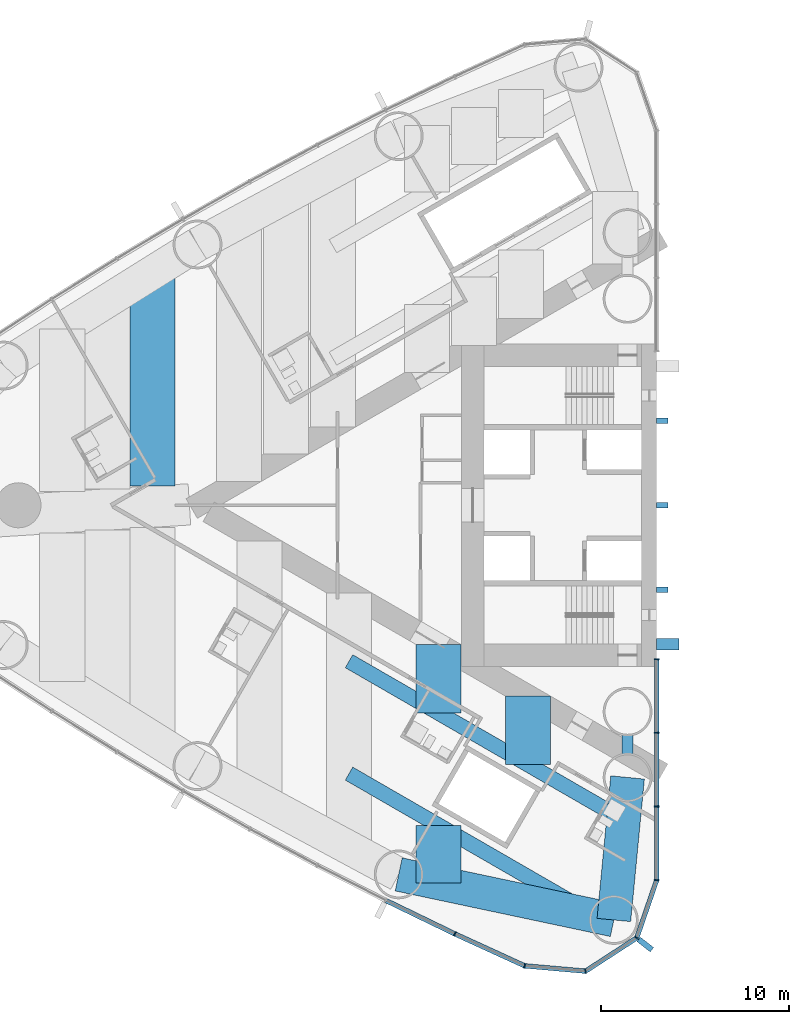
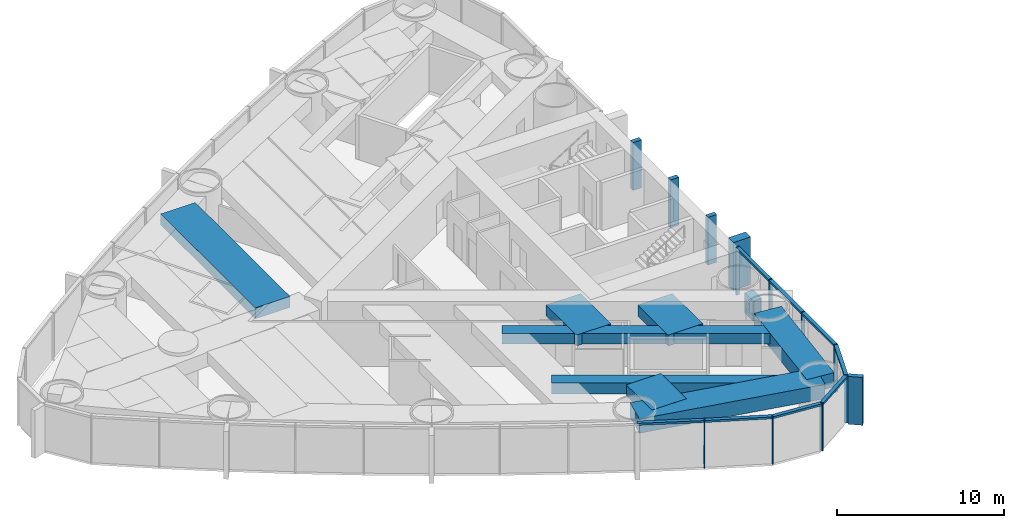
# One storey, part 3 of 18: 21 members, 9 beams, 1 element without a shape of its own.
"""IFC4 building model written with IfcOpenShell, lengths in metres."""

from ifc_helpers import new_model, si_unit, direction, frame, origin, origin_2d, place, context, subcontext, project, spatial, rectangle, hollow_rectangle, extrude, material, material_profile, profile_set, type_object, element, aggregate, save


model = new_model("IFC4")

# Units and contexts
model_context = context("Model", 3, precision=1e-05, world=origin(), true_north=direction((0.0, 1.0)))
body_context = subcontext(model_context, "Body", "Model", "MODEL_VIEW")
ifc_project = project(units=[si_unit("LENGTHUNIT", "METRE"), si_unit("AREAUNIT", "SQUARE_METRE"), si_unit("VOLUMEUNIT", "CUBIC_METRE"), si_unit("PLANEANGLEUNIT", "RADIAN"), si_unit("MASSUNIT", "GRAM", prefix="KILO")], contexts=[model_context])

# Site, building, storey
site_placement = place(None, origin())
site = spatial("IfcSite", under=ifc_project, at=site_placement, CompositionType="ELEMENT")
building_placement = place(site_placement, origin())
building = spatial("IfcBuilding", under=site, at=building_placement, Name="Lancet Gate Hotel", CompositionType="ELEMENT")
storey_placement = place(building_placement, frame((0.0, 0.0, 125.60009765625)))
storey = spatial("IfcBuildingStorey", under=building, at=storey_placement, Name="L33", CompositionType="ELEMENT", Elevation=125.60009765625)

# Curtain wall, members
ifc_material_1 = material(Name="Aluminium curtain wall", Category="aluminium")
curtain_wall_type = type_object("IfcCurtainWallType", Name="Tower unitised curtain wall", PredefinedType="USERDEFINED", material=ifc_material_1)
curtain_wall_placement = place(storey_placement, origin())
curtain_wall = element("IfcCurtainWall", 1, at=curtain_wall_placement, inside=storey, type_object=curtain_wall_type, Name="T1 L33 curtain wall 1", ObjectType="UNITISED CURTAIN WALL", PredefinedType="USERDEFINED")
ifc_material_2 = material(Name="Aluminium mullion", Category="aluminium")
ifc_material_profile_1 = material_profile(ifc_material_2, rectangle(XDim=0.06494140625, YDim=0.25, at=origin_2d()), Name="MULLION 65x250")
ifc_profile_set_1 = profile_set([ifc_material_profile_1], Name="Aluminium mullion")
member_type_1 = type_object("IfcMemberType", Name="Aluminium mullion 65x250", PredefinedType="MULLION", material=ifc_profile_set_1)
member_1_placement = place(storey_placement, frame((-38.25244140625, -22.83642578125, 0.0), z_axis=(0.0, 0.0, 1.0), x_axis=(0.904719609771, -0.426007544178, 0.0)))
member_1 = element("IfcMember", 2, at=member_1_placement, type_object=member_type_1, Name="T1 L33 curtain wall 1 mullion 29", PredefinedType="MULLION", context=body_context, shape_type="SweptSolid", body=[
    extrude(rectangle(XDim=0.06494140625, YDim=0.25, at=origin_2d()), origin(), (0.0, 0.0, 1.0), 3.5),
])
member_2_placement = place(storey_placement, frame((-34.5322265625, -24.53955078125, 0.0), z_axis=(0.0, 0.0, 1.0), x_axis=(0.961653318232, -0.27426792655, 0.0)))
member_2 = element("IfcMember", 3, at=member_2_placement, type_object=member_type_1, Name="T1 L33 curtain wall 1 mullion 30", PredefinedType="MULLION", context=body_context, shape_type="SweptSolid", body=[
    extrude(rectangle(XDim=0.06494140625, YDim=0.25, at=origin_2d()), origin(), (0.0, 0.0, 1.0), 3.5),
])
member_3_placement = place(storey_placement, frame((-31.289306640625, -24.822265625, 0.0), z_axis=(0.0, 0.0, 1.0), x_axis=(0.970242142288, 0.242136707934, 0.0)))
member_3 = element("IfcMember", 4, at=member_3_placement, type_object=member_type_1, Name="T1 L33 curtain wall 1 mullion 31", PredefinedType="MULLION", context=body_context, shape_type="SweptSolid", body=[
    extrude(rectangle(XDim=0.06494140625, YDim=0.25, at=origin_2d()), origin(), (0.0, 0.0, 1.0), 3.5),
])
member_4_placement = place(storey_placement, frame((-28.5595703125, -23.049072265625, 0.0), z_axis=(0.0, 0.0, 1.0), x_axis=(0.615574240878, 0.788078900851, 0.0)))
member_4 = element("IfcMember", 5, at=member_4_placement, type_object=member_type_1, Name="T1 L33 curtain wall 1 mullion 32", PredefinedType="MULLION", context=body_context, shape_type="SweptSolid", body=[
    extrude(rectangle(XDim=0.06494140625, YDim=0.25, at=origin_2d()), origin(), (0.0, 0.0, 1.0), 3.5),
])
member_5_placement = place(storey_placement, frame((-27.5, -19.97119140625, 0.0), z_axis=(0.0, 0.0, 1.0), x_axis=(0.149634446211, 0.988741388082, 0.0)))
member_5 = element("IfcMember", 6, at=member_5_placement, type_object=member_type_1, Name="T1 L33 curtain wall 1 mullion 33", PredefinedType="MULLION", context=body_context, shape_type="SweptSolid", body=[
    extrude(rectangle(XDim=0.06494140625, YDim=0.25, at=origin_2d()), origin(), (0.0, 0.0, 1.0), 3.5),
])
member_6_placement = place(storey_placement, frame((-27.5, -16.04736328125, 0.0), z_axis=(0.0, 0.0, 1.0), x_axis=(0.0, 1.0, 0.0)))
member_6 = element("IfcMember", 7, at=member_6_placement, type_object=member_type_1, Name="T1 L33 curtain wall 1 mullion 34", PredefinedType="MULLION", context=body_context, shape_type="SweptSolid", body=[
    extrude(rectangle(XDim=0.06494140625, YDim=0.25, at=origin_2d()), origin(), (0.0, 0.0, 1.0), 3.5),
])
member_7_placement = place(storey_placement, frame((-27.5, -12.123779296875, 0.0), z_axis=(0.0, 0.0, 1.0), x_axis=(0.0, 1.0, 0.0)))
member_7 = element("IfcMember", 8, at=member_7_placement, type_object=member_type_1, Name="T1 L33 curtain wall 1 mullion 35", PredefinedType="MULLION", context=body_context, shape_type="SweptSolid", body=[
    extrude(rectangle(XDim=0.06494140625, YDim=0.25, at=origin_2d()), origin(), (0.0, 0.0, 1.0), 3.5),
])
member_8_placement = place(storey_placement, frame((-27.5, -8.199951171875, 0.0), z_axis=(0.0, 0.0, 1.0), x_axis=(0.0, 1.0, 0.0)))
member_8 = element("IfcMember", 9, at=member_8_placement, type_object=member_type_1, Name="T1 L33 curtain wall 1 mullion 36", PredefinedType="MULLION", context=body_context, shape_type="SweptSolid", body=[
    extrude(rectangle(XDim=0.06494140625, YDim=0.25, at=origin_2d()), origin(), (0.0, 0.0, 1.0), 3.5),
])
ifc_material_3 = material(Name="Aluminium transom", Category="aluminium")
ifc_material_profile_2 = material_profile(ifc_material_3, rectangle(XDim=0.25, YDim=0.14990234375, at=origin_2d()), Name="TRANSOM 250x150")
ifc_profile_set_2 = profile_set([ifc_material_profile_2], Name="Aluminium transom")
member_type_2 = type_object("IfcMemberType", Name="Aluminium transom 250x150", PredefinedType="USERDEFINED", material=ifc_profile_set_2)
member_9_placement = place(storey_placement, frame((-41.906005859375, -21.067626953125, 3.4248046875), z_axis=(0.900065677074, -0.435754262117, 0.0), x_axis=(0.435754262117, 0.900065677074, 0.0)))
member_9 = element("IfcMember", 10, at=member_9_placement, type_object=member_type_2, Name="T1 L33 curtain wall 1 transom 28", ObjectType="TRANSOM", PredefinedType="USERDEFINED", context=body_context, shape_type="SweptSolid", body=[
    extrude(rectangle(XDim=0.25, YDim=0.14990234375, at=origin_2d()), origin(), (0.0, 0.0, 1.0), 4.026611328125),
])
member_10_placement = place(storey_placement, frame((-38.222900390625, -22.849853515625, 3.4248046875), z_axis=(0.909252284196, -0.416245460857, 0.0), x_axis=(0.416245460857, 0.909252284196, 0.0)))
member_10 = element("IfcMember", 11, at=member_10_placement, type_object=member_type_2, Name="T1 L33 curtain wall 1 transom 29", ObjectType="TRANSOM", PredefinedType="USERDEFINED", context=body_context, shape_type="SweptSolid", body=[
    extrude(rectangle(XDim=0.25, YDim=0.14990234375, at=origin_2d()), origin(), (0.0, 0.0, 1.0), 4.026611328125),
])
member_11_placement = place(storey_placement, frame((-34.499755859375, -24.542236328125, 3.4248046875), z_axis=(0.996213545522, -0.086940046686, 0.0), x_axis=(0.086940046686, 0.996213545522, 0.0)))
member_11 = element("IfcMember", 12, at=member_11_placement, type_object=member_type_2, Name="T1 L33 curtain wall 1 transom 30", ObjectType="TRANSOM", PredefinedType="USERDEFINED", context=body_context, shape_type="SweptSolid", body=[
    extrude(rectangle(XDim=0.25, YDim=0.14990234375, at=origin_2d()), origin(), (0.0, 0.0, 1.0), 3.18994140625),
])
member_12_placement = place(storey_placement, frame((-31.261962890625, -24.8046875, 3.4248046875), z_axis=(0.838550259452, 0.544824249068, 0.0), x_axis=(-0.544824249068, 0.838550259452, 0.0)))
member_12 = element("IfcMember", 13, at=member_12_placement, type_object=member_type_2, Name="T1 L33 curtain wall 1 transom 31", ObjectType="TRANSOM", PredefinedType="USERDEFINED", context=body_context, shape_type="SweptSolid", body=[
    extrude(rectangle(XDim=0.25, YDim=0.14990234375, at=origin_2d()), origin(), (0.0, 0.0, 1.0), 3.190185546875),
])
member_13_placement = place(storey_placement, frame((-28.549072265625, -23.018310546875, 3.4248046875), z_axis=(0.32553312754, 0.945530635609, 0.0), x_axis=(-0.945530635609, 0.32553312754, 0.0)))
member_13 = element("IfcMember", 14, at=member_13_placement, type_object=member_type_2, Name="T1 L33 curtain wall 1 transom 32", ObjectType="TRANSOM", PredefinedType="USERDEFINED", context=body_context, shape_type="SweptSolid", body=[
    extrude(rectangle(XDim=0.25, YDim=0.14990234375, at=origin_2d()), origin(), (0.0, 0.0, 1.0), 3.1904296875),
])
member_14_placement = place(storey_placement, frame((-27.5, -19.9384765625, 3.4248046875), z_axis=(0.0, 1.0, 0.0), x_axis=(-1.0, 0.0, 0.0)))
member_14 = element("IfcMember", 15, at=member_14_placement, type_object=member_type_2, Name="T1 L33 curtain wall 1 transom 33", ObjectType="TRANSOM", PredefinedType="USERDEFINED", context=body_context, shape_type="SweptSolid", body=[
    extrude(rectangle(XDim=0.25, YDim=0.14990234375, at=origin_2d()), origin(), (0.0, 0.0, 1.0), 3.858642578125),
])
member_15_placement = place(storey_placement, frame((-27.5, -16.014892578125, 3.4248046875), z_axis=(0.0, 1.0, 0.0), x_axis=(-1.0, 0.0, 0.0)))
member_15 = element("IfcMember", 16, at=member_15_placement, type_object=member_type_2, Name="T1 L33 curtain wall 1 transom 34", ObjectType="TRANSOM", PredefinedType="USERDEFINED", context=body_context, shape_type="SweptSolid", body=[
    extrude(rectangle(XDim=0.25, YDim=0.14990234375, at=origin_2d()), origin(), (0.0, 0.0, 1.0), 3.858642578125),
])
member_16_placement = place(storey_placement, frame((-27.5, -12.09130859375, 3.4248046875), z_axis=(0.0, 1.0, 0.0), x_axis=(-1.0, 0.0, 0.0)))
member_16 = element("IfcMember", 17, at=member_16_placement, type_object=member_type_2, Name="T1 L33 curtain wall 1 transom 35", ObjectType="TRANSOM", PredefinedType="USERDEFINED", context=body_context, shape_type="SweptSolid", body=[
    extrude(rectangle(XDim=0.25, YDim=0.14990234375, at=origin_2d()), origin(), (0.0, 0.0, 1.0), 3.85888671875),
])

# Beams
ifc_material_4 = material(Name="Concrete C50/60", Category="concrete")
ifc_material_profile_3 = material_profile(ifc_material_4, rectangle(XDim=1.800048828125, YDim=1.050048828125, at=origin_2d()), Name="RC 1800x1050")
ifc_profile_set_3 = profile_set([ifc_material_profile_3], Name="Concrete C50/60")
beam_type_1 = type_object("IfcBeamType", Name="Edge beam RC 1800x1050", PredefinedType="SPANDREL", material=ifc_profile_set_3)
beam_1_placement = place(storey_placement, frame((-41.244873046875, -19.665771484375, 2.724853515625), z_axis=(0.978282156247, -0.207277646573, 0.0), x_axis=(0.207277646573, 0.978282156247, 0.0)))
element("IfcBeam", 18, at=beam_1_placement, inside=storey, type_object=beam_type_1, Name="T1 edge beam EB1 L33", PredefinedType="SPANDREL", context=body_context, shape_type="SweptSolid", body=[
    extrude(rectangle(XDim=1.800048828125, YDim=1.050048828125, at=origin_2d()), origin(), (0.0, 0.0, 1.0), 11.71826171875),
])
beam_2_placement = place(storey_placement, frame((-29.050048828125, -14.5, 2.724853515625), z_axis=(-0.095802643786, -0.995400348324, 0.0), x_axis=(0.995400348324, -0.095802643786, 0.0)))
element("IfcBeam", 19, at=beam_2_placement, inside=storey, type_object=beam_type_1, Name="T1 edge beam EB1 L33", PredefinedType="SPANDREL", context=body_context, shape_type="SweptSolid", body=[
    extrude(rectangle(XDim=1.800048828125, YDim=1.050048828125, at=origin_2d()), origin(), (0.0, 0.0, 1.0), 7.6298828125),
])

# Member
ifc_material_5 = material(Name="Concrete C60/75", Category="concrete")
ifc_material_profile_4 = material_profile(ifc_material_5, rectangle(XDim=0.60009765625, YDim=1.199951171875, at=origin_2d()), Name="FIN 600x1200")
ifc_profile_set_4 = profile_set([ifc_material_profile_4], Name="Concrete C60/75")
member_type_3 = type_object("IfcMemberType", Name="Exposed concrete buttress pilaster 600x1200", PredefinedType="USERDEFINED", material=ifc_profile_set_4)
member_17_placement = place(storey_placement, frame((-26.909912109375, -7.39990234375, 0.0), z_axis=(0.0, 0.0, 1.0), x_axis=(0.0, 1.0, 0.0)))
element("IfcMember", 20, at=member_17_placement, inside=storey, type_object=member_type_3, Name="T1 buttress pilaster N L33", ObjectType="FIN", PredefinedType="USERDEFINED", context=body_context, shape_type="SweptSolid", body=[
    extrude(rectangle(XDim=0.60009765625, YDim=1.199951171875, at=origin_2d()), origin(), (0.0, 0.0, 1.0), 3.5),
])

ifc_material_6 = material(Name="Precast concrete C50/60", Category="concrete")
ifc_material_profile_5 = material_profile(ifc_material_6, rectangle(XDim=0.300048828125, YDim=0.89990234375, at=origin_2d()), Name="FIN 300x900")
ifc_profile_set_5 = profile_set([ifc_material_profile_5], Name="Precast concrete C50/60")
member_type_4 = type_object("IfcMemberType", Name="Exposed concrete fin 300x900", PredefinedType="USERDEFINED", material=ifc_profile_set_5)
member_18_placement = place(storey_placement, frame((-28.1064453125, -23.40283203125, 0.0), z_axis=(0.0, 0.0, 1.0), x_axis=(0.615574240878, 0.788078900851, 0.0)))
member_18 = element("IfcMember", 21, at=member_18_placement, type_object=member_type_4, Name="T1 L33 curtain wall 1 fin 32", ObjectType="FIN", PredefinedType="USERDEFINED", context=body_context, shape_type="SweptSolid", body=[
    extrude(rectangle(XDim=0.300048828125, YDim=0.89990234375, at=origin_2d()), origin(), (0.0, 0.0, 1.0), 3.5),
])

aggregate(curtain_wall, [member_1, member_2, member_3, member_4, member_18, member_5, member_6, member_7, member_8, member_9, member_10, member_11, member_12, member_13, member_14, member_15, member_16])

# Members
ifc_material_7 = material(Name="Concrete C60/75", Category="concrete")
ifc_material_profile_6 = material_profile(ifc_material_7, rectangle(XDim=0.300048828125, YDim=0.60009765625, at=origin_2d()), Name="FIN 300x600")
ifc_profile_set_6 = profile_set([ifc_material_profile_6], Name="Concrete C60/75")
member_type_5 = type_object("IfcMemberType", Name="Exposed concrete rib 300x600", PredefinedType="USERDEFINED", material=ifc_profile_set_6)
for number, where, z_axis, x_axis, name in (
    (22, (-27.2099609375, 4.5, 0.0), (0.0, 0.0, 1.0), (0.0, 1.0, 0.0), "T1 core rib 1 L33"),
    (23, (-27.2099609375, 0.0, 0.0), (0.0, 0.0, 1.0), (0.0, 1.0, 0.0), "T1 core rib 2 L33"),
    (24, (-27.2099609375, -4.5, 0.0), (0.0, 0.0, 1.0), (0.0, 1.0, 0.0), "T1 core rib 3 L33"),
):
    element("IfcMember", number, at=place(storey_placement, frame(where, z_axis=z_axis, x_axis=x_axis)), inside=storey, type_object=member_type_5, Name=name, ObjectType="FIN", PredefinedType="USERDEFINED", context=body_context, shape_type="SweptSolid", body=[
        extrude(rectangle(XDim=0.300048828125, YDim=0.60009765625, at=origin_2d()), origin(), (0.0, 0.0, 1.0), 3.5),
    ])

# Beams
ifc_material_8 = material(Name="Concrete C50/60", Category="concrete")
ifc_material_profile_7 = material_profile(ifc_material_8, rectangle(XDim=2.39990234375, YDim=0.800048828125, at=origin_2d()), Name="RC 2400x800")
ifc_profile_set_7 = profile_set([ifc_material_profile_7], Name="Concrete C50/60")
beam_type_2 = type_object("IfcBeamType", Name="Floor beam RC 2400x800", PredefinedType="BEAM", material=ifc_profile_set_7)
beam_3_placement = place(storey_placement, frame((-54.3681640625, 12.392333984375, 2.849853515625), z_axis=(0.0, -1.0, 0.0), x_axis=(1.0, 0.0, 0.0)))
element("IfcBeam", 25, at=beam_3_placement, inside=storey, type_object=beam_type_2, Name="T1 floor beam F13S L33", PredefinedType="BEAM", context=body_context, shape_type="SweptSolid", body=[
    extrude(rectangle(XDim=2.39990234375, YDim=0.800048828125, at=origin_2d()), origin(), (0.0, 0.0, 1.0), 11.364990234375),
])
beam_4_placement = place(storey_placement, frame((-34.353515625, -10.169921875, 2.849853515625), z_axis=(0.0, -1.0, 0.0), x_axis=(1.0, 0.0, 0.0)))
element("IfcBeam", 26, at=beam_4_placement, inside=storey, type_object=beam_type_2, Name="T1 floor beam F03NA L33", PredefinedType="BEAM", context=body_context, shape_type="SweptSolid", body=[
    extrude(rectangle(XDim=2.39990234375, YDim=0.800048828125, at=origin_2d()), origin(), (0.0, 0.0, 1.0), 3.645751953125),
])
beam_5_placement = place(storey_placement, frame((-39.122314453125, -7.41650390625, 2.849853515625), z_axis=(0.0, -1.0, 0.0), x_axis=(1.0, 0.0, 0.0)))
element("IfcBeam", 27, at=beam_5_placement, inside=storey, type_object=beam_type_2, Name="T1 floor beam F06NA L33", PredefinedType="BEAM", context=body_context, shape_type="SweptSolid", body=[
    extrude(rectangle(XDim=2.39990234375, YDim=0.800048828125, at=origin_2d()), origin(), (0.0, 0.0, 1.0), 3.64599609375),
])
beam_6_placement = place(storey_placement, frame((-39.122314453125, -17.0498046875, 2.849853515625), z_axis=(0.0, -1.0, 0.0), x_axis=(1.0, 0.0, 0.0)))
element("IfcBeam", 28, at=beam_6_placement, inside=storey, type_object=beam_type_2, Name="T1 floor beam F06NB L33", PredefinedType="BEAM", context=body_context, shape_type="SweptSolid", body=[
    extrude(rectangle(XDim=2.39990234375, YDim=0.800048828125, at=origin_2d()), origin(), (0.0, 0.0, 1.0), 3.065673828125),
])
ifc_material_9 = material(Name="Steel S460QL", Category="steel")
ifc_material_profile_8 = material_profile(ifc_material_9, hollow_rectangle(XDim=0.60009765625, YDim=1.5, WallThickness=0.050048828125, at=origin_2d()), Name="BOX 1500x600x50")
ifc_profile_set_8 = profile_set([ifc_material_profile_8], Name="Steel S460QL")
beam_type_3 = type_object("IfcBeamType", Name="Inner-face link beam BOX 1500x600x50", PredefinedType="BEAM", material=ifc_profile_set_8)
beam_7_placement = place(storey_placement, frame((-29.050048828125, -12.25, 2.5), z_axis=(0.0, -1.0, 0.0), x_axis=(1.0, 0.0, 0.0)))
element("IfcBeam", 29, at=beam_7_placement, inside=storey, type_object=beam_type_3, Name="T1 inner-face link beam LK1 L33", PredefinedType="BEAM", context=body_context, shape_type="SweptSolid", body=[
    extrude(hollow_rectangle(XDim=0.60009765625, YDim=1.5, WallThickness=0.050048828125, at=origin_2d()), origin(), (0.0, 0.0, 1.0), 1.0),
])
ifc_material_10 = material(Name="Steel S460QL", Category="steel")
ifc_material_profile_9 = material_profile(ifc_material_10, hollow_rectangle(XDim=0.800048828125, YDim=0.800048828125, WallThickness=0.080078125, at=origin_2d()), Name="BOX 800x800x80")
ifc_profile_set_9 = profile_set([ifc_material_profile_9], Name="Steel S460QL")
beam_type_4 = type_object("IfcBeamType", Name="Trimmer beam BOX 800x800x80", PredefinedType="BEAM", material=ifc_profile_set_9)
beam_8_placement = place(storey_placement, frame((-29.58447265625, -16.56884765625, 2.849853515625), z_axis=(-0.866040141834, 0.49997447208, 0.0), x_axis=(-0.49997447208, -0.866040141834, 0.0)))
element("IfcBeam", 30, at=beam_8_placement, inside=storey, type_object=beam_type_4, Name="T1 trimmer beam TR01N L33", PredefinedType="BEAM", context=body_context, shape_type="SweptSolid", body=[
    extrude(hollow_rectangle(XDim=0.800048828125, YDim=0.800048828125, WallThickness=0.080078125, at=origin_2d()), origin(), (0.0, 0.0, 1.0), 16.519775390625),
])
beam_9_placement = place(storey_placement, frame((-30.982421875, -21.7490234375, 2.849853515625), z_axis=(-0.866042392862, 0.4999705729, 0.0), x_axis=(-0.4999705729, -0.866042392862, 0.0)))
element("IfcBeam", 31, at=beam_9_placement, inside=storey, type_object=beam_type_4, Name="T1 trimmer beam TR03N L33", PredefinedType="BEAM", context=body_context, shape_type="SweptSolid", body=[
    extrude(hollow_rectangle(XDim=0.800048828125, YDim=0.800048828125, WallThickness=0.080078125, at=origin_2d()), origin(), (0.0, 0.0, 1.0), 14.90576171875),
])

save(model, "model.ifc")
